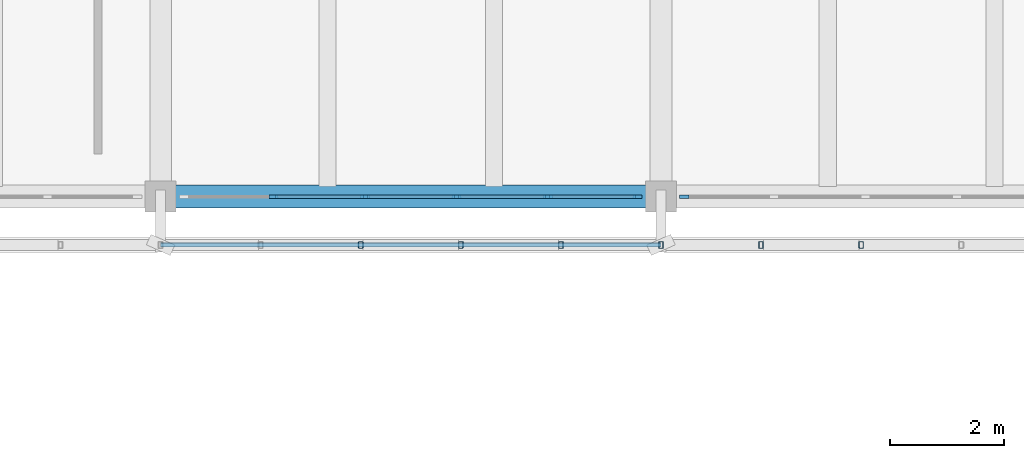
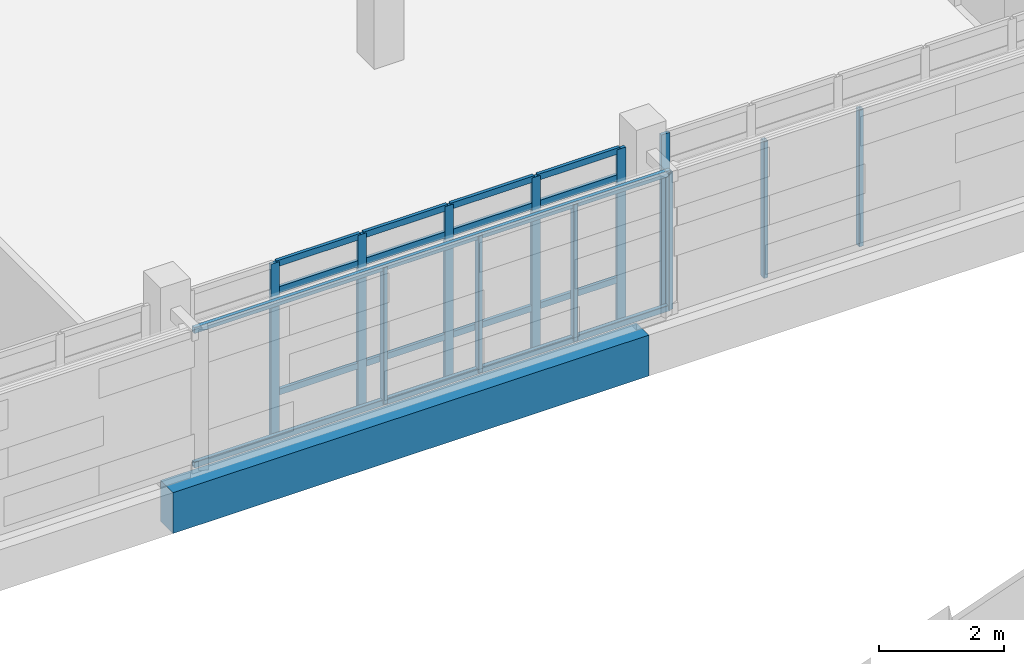
# One storey, part 60 of 117: 30 members, 1 beam, 2 elements without a shape of their own.
"""IFC4 building model written with IfcOpenShell, lengths in metres."""

import ifcopenshell
import ifcopenshell.guid

model = None  # the IFC model being written
_history = None  # IfcOwnerHistory: only IFC2X3 demands one
_inside = {}  # id of a spatial element -> (the spatial element, [elements in it])
_under = {}  # id of a project, library or spatial element -> (it, [spatial elements below it])
_declared = {}  # id of a project -> (the project, [libraries it declares])
_typed = {}  # id of a type object -> (the type object, [elements of that type])
_made_of = {}  # id of a material, layer set ... -> (it, [elements and type objects made of it])


def new_model(schema):
    """Start an empty IFC model of exactly this schema.

    Asked for "IFC4X3", IfcOpenShell would pick the latest addendum, in which some entities
    have other attributes; the version numbers below select the first issue.
    IFC2X3 requires an IfcOwnerHistory on every rooted entity: one is made here for all.
    """
    global model, _history
    if schema == "IFC4X3":
        model = ifcopenshell.file(schema_version=(4, 3, 0, 0))
    else:
        model = ifcopenshell.file(schema=schema)
    _inside.clear()
    _under.clear()
    _declared.clear()
    _typed.clear()
    _made_of.clear()
    _history = None
    if model.schema == "IFC2X3":
        org = make("IfcOrganization", Name="unknown")
        user = make(
            "IfcPersonAndOrganization",
            ThePerson=make("IfcPerson", FamilyName="unknown"),
            TheOrganization=org,
        )
        app = make(
            "IfcApplication",
            ApplicationDeveloper=org,
            Version="unknown",
            ApplicationFullName="unknown",
            ApplicationIdentifier="unknown",
        )
        _history = make(
            "IfcOwnerHistory",
            OwningUser=user,
            OwningApplication=app,
            ChangeAction="ADDED",
            CreationDate=0,
        )
    return model


def make(cls, **values):
    """One entity of the class cls with the attributes given. An attribute that is None is left unset."""
    return model.create_entity(
        cls, **{name: value for name, value in values.items() if value is not None}
    )


def rooted(cls, **values):
    """An entity with a GlobalId (a new one), such as an element, a storey or a relation."""
    return make(cls, GlobalId=ifcopenshell.guid.new(), OwnerHistory=_history, **values)


def si_unit(unit_type, name, prefix=None):
    """IfcSIUnit, for example si_unit("LENGTHUNIT", "METRE", prefix="MILLI")."""
    return make("IfcSIUnit", UnitType=unit_type, Prefix=prefix, Name=name)


def assignment(units):
    """IfcUnitAssignment: the units of a project."""
    return None if units is None else make("IfcUnitAssignment", Units=units)


def point(xyz):
    """IfcCartesianPoint."""
    return None if xyz is None else make("IfcCartesianPoint", Coordinates=xyz)


def direction(xyz):
    """IfcDirection."""
    return None if xyz is None else make("IfcDirection", DirectionRatios=xyz)


def frame(location, z_axis=None, x_axis=None):
    """IfcAxis2Placement3D, a coordinate frame: its origin and axes. An axis left out is left unset."""
    return make(
        "IfcAxis2Placement3D",
        Location=point(location),
        Axis=direction(z_axis),
        RefDirection=direction(x_axis),
    )


def frame_2d(location, x_axis=None):
    """IfcAxis2Placement2D, a coordinate frame in the plane: its origin and x axis."""
    return make(
        "IfcAxis2Placement2D", Location=point(location), RefDirection=direction(x_axis)
    )


def origin():
    """The frame at (0, 0, 0) with its axes left unset."""
    return frame((0.0, 0.0, 0.0))


def origin_2d():
    """The frame at (0, 0) in the plane with its x axis left unset."""
    return frame_2d((0.0, 0.0))


def place(relative_to, where):
    """IfcLocalPlacement: puts the frame where relative to a parent placement (None: the world)."""
    return make(
        "IfcLocalPlacement", PlacementRelTo=relative_to, RelativePlacement=where
    )


def context(
    kind, dimensions, precision=None, world=None, true_north=None, identifier=None
):
    """IfcGeometricRepresentationContext, for example the 3D "Model" context."""
    return make(
        "IfcGeometricRepresentationContext",
        ContextIdentifier=identifier,
        ContextType=kind,
        CoordinateSpaceDimension=dimensions,
        Precision=precision,
        WorldCoordinateSystem=world,
        TrueNorth=true_north,
    )


def subcontext(parent, identifier, kind, view, scale=None):
    """IfcGeometricRepresentationSubContext, for example "Body" below "Model"."""
    return make(
        "IfcGeometricRepresentationSubContext",
        ContextIdentifier=identifier,
        ContextType=kind,
        ParentContext=parent,
        TargetScale=scale,
        TargetView=view,
    )


def project(units=None, contexts=None):
    """IfcProject with its units and contexts."""
    return rooted(
        "IfcProject",
        Name="project",
        RepresentationContexts=contexts,
        UnitsInContext=assignment(units),
    )


def spatial(cls, under=None, at=None, **own):
    """A site, building, storey or space (cls), placed at a placement, below another one or the project."""
    s = rooted(cls, ObjectPlacement=at, **own)
    if under is not None:
        _under.setdefault(under.id(), (under, []))[1].append(s)
    return s


def profile(cls, at=None, kind="AREA", **sizes):
    """A parametric profile (cls). Its sizes go by their IFC names, for example OverallWidth=200.0."""
    return make(cls, ProfileType=kind, Position=at, **sizes)


def rectangle(**sizes):
    """IfcRectangleProfileDef."""
    return profile("IfcRectangleProfileDef", **sizes)


def hollow_rectangle(**sizes):
    """IfcRectangleHollowProfileDef."""
    return profile("IfcRectangleHollowProfileDef", **sizes)


def extrude(swept, where, along, depth):
    """IfcExtrudedAreaSolid: the profile swept, set in the frame where, extruded along a direction by depth."""
    return make(
        "IfcExtrudedAreaSolid",
        SweptArea=swept,
        Position=where,
        ExtrudedDirection=direction(along),
        Depth=depth,
    )


def shape(context_of_items, identifier, shape_type, items):
    """IfcShapeRepresentation: the items that make up one representation, for example the "Body"."""
    return make(
        "IfcShapeRepresentation",
        ContextOfItems=context_of_items,
        RepresentationIdentifier=identifier,
        RepresentationType=shape_type,
        Items=items,
    )


def material(Name=None, Category=None):
    """IfcMaterial."""
    return make("IfcMaterial", Name=Name, Category=Category)


def material_profile(
    of_material, cross_section, Name=None, Category=None, Priority=None
):
    """IfcMaterialProfile: a cross section and its material."""
    return make(
        "IfcMaterialProfile",
        Name=Name,
        Material=of_material,
        Profile=cross_section,
        Priority=Priority,
        Category=Category,
    )


def profile_set(profiles, Name=None, composite=None):
    """IfcMaterialProfileSet."""
    return make(
        "IfcMaterialProfileSet",
        Name=Name,
        MaterialProfiles=profiles,
        CompositeProfile=composite,
    )


def made_of(thing, what):
    """Note that an element or type object is made of a material, layer set ...; save() writes the relation."""
    if what is not None:
        _made_of.setdefault(what.id(), (what, []))[1].append(thing)
    return thing


def type_object(cls, material=None, **own):
    """A type object (cls), such as IfcWallType, which elements share."""
    return made_of(rooted(cls, **own), material)


def element(
    cls,
    number,
    at=None,
    inside=None,
    cuts=None,
    type_object=None,
    material=None,
    context=None,
    identifier="Body",
    shape_type=None,
    held_by="IfcProductDefinitionShape",
    body=None,
    shapes=None,
    **own,
):
    """One element of the class cls, such as IfcWall. Its Tag is "e" and its number.

    at: its placement. inside: the storey or other place that contains it. cuts: it is an
    opening in that element (IfcRelVoidsElement). A single representation is given by context,
    identifier, shape_type and body (its items); several are given by shapes. held_by: the class
    of the entity that holds the representations. save() writes the other relations.
    """
    e = rooted(cls, Tag="e%d" % number, ObjectPlacement=at, **own)
    if body is not None:
        shapes = [shape(context, identifier, shape_type, body)]
    if shapes is not None:
        e.Representation = make(held_by, Representations=shapes)
    if inside is not None:
        _inside.setdefault(inside.id(), (inside, []))[1].append(e)
    if cuts is not None:
        rooted(
            "IfcRelVoidsElement", RelatingBuildingElement=cuts, RelatedOpeningElement=e
        )
    if type_object is not None:
        _typed.setdefault(type_object.id(), (type_object, []))[1].append(e)
    return made_of(e, material)


def aggregate(whole, parts):
    """IfcRelAggregates: a whole, such as a stair, and the parts it consists of."""
    return rooted("IfcRelAggregates", RelatingObject=whole, RelatedObjects=parts)


def save(model, path):
    """Write the relations noted so far, then the file.

    IfcRelAggregates (storeys below a building ...), IfcRelContainedInSpatialStructure (elements
    in a storey), IfcRelDefinesByType, IfcRelAssociatesMaterial and IfcRelDeclares: one each for
    every whole, place, type object, material and project.
    """
    for whole, parts in _under.values():
        aggregate(whole, parts)
    for where, things in _inside.values():
        rooted(
            "IfcRelContainedInSpatialStructure",
            RelatedElements=things,
            RelatingStructure=where,
        )
    for kind, things in _typed.values():
        rooted("IfcRelDefinesByType", RelatedObjects=things, RelatingType=kind)
    for what, things in _made_of.values():
        rooted("IfcRelAssociatesMaterial", RelatedObjects=things, RelatingMaterial=what)
    for by, libraries in _declared.values():
        rooted("IfcRelDeclares", RelatingContext=by, RelatedDefinitions=libraries)
    model.write(path)


model = new_model("IFC4")

# Units and contexts
model_context = context("Model", 3, precision=1e-05, world=origin(), true_north=direction((0.0, 1.0)))
body_context = subcontext(model_context, "Body", "Model", "MODEL_VIEW")
ifc_project = project(units=[si_unit("LENGTHUNIT", "METRE"), si_unit("AREAUNIT", "SQUARE_METRE"), si_unit("VOLUMEUNIT", "CUBIC_METRE"), si_unit("PLANEANGLEUNIT", "RADIAN"), si_unit("MASSUNIT", "GRAM", prefix="KILO")], contexts=[model_context])

# Site, building, storey
site_placement = place(None, origin())
site = spatial("IfcSite", under=ifc_project, at=site_placement, CompositionType="ELEMENT")
building_placement = place(site_placement, origin())
building = spatial("IfcBuilding", under=site, at=building_placement, Name="Cinderway Yard Community Centre", CompositionType="ELEMENT")
storey_placement = place(building_placement, frame((0.0, 0.0, 9.0)))
storey = spatial("IfcBuildingStorey", under=building, at=storey_placement, Name="L02", CompositionType="ELEMENT", Elevation=9.0)

# Curtain wall, members
ifc_material_1 = material(Name="Aluminium 6063-T6", Category="aluminium")
curtain_wall_type = type_object("IfcCurtainWallType", Name="ENV-CW-TYPE-30", PredefinedType="USERDEFINED", material=ifc_material_1)
curtain_wall_1_placement = place(storey_placement, origin())
curtain_wall_1 = element("IfcCurtainWall", 1, at=curtain_wall_1_placement, inside=storey, type_object=curtain_wall_type, Name="V4 Courtyard Curtain Wall ENV-CW-L02-ST-0156", ObjectType="GLAZED CURTAIN WALL", PredefinedType="USERDEFINED")
ifc_material_profile_1 = material_profile(ifc_material_1, rectangle(XDim=0.06005859375, YDim=0.159912109375, at=origin_2d()), Name="Aluminium 6063-T6")
ifc_profile_set_1 = profile_set([ifc_material_profile_1], Name="Aluminium 6063-T6")
member_type_1 = type_object("IfcMemberType", Name="ENV-CW-MULL-150", PredefinedType="MULLION", material=ifc_profile_set_1)
member_1_placement = place(storey_placement, frame((121.18798828125, 90.0, 0.0), z_axis=(0.0, 0.0, 1.0), x_axis=(0.0, 1.0, 0.0)))
member_1 = element("IfcMember", 2, at=member_1_placement, type_object=member_type_1, Name="CW-30 mullion 2", PredefinedType="MULLION", context=body_context, shape_type="SweptSolid", body=[
    extrude(rectangle(XDim=0.06005859375, YDim=0.159912109375, at=origin_2d()), origin(), (0.0, 0.0, 1.0), 3.449951171875),
])
member_2_placement = place(storey_placement, frame((122.7958984375, 90.0, 0.0), z_axis=(0.0, 0.0, 1.0), x_axis=(0.0, 1.0, 0.0)))
member_2 = element("IfcMember", 3, at=member_2_placement, type_object=member_type_1, Name="CW-30 mullion 3", PredefinedType="MULLION", context=body_context, shape_type="SweptSolid", body=[
    extrude(rectangle(XDim=0.06005859375, YDim=0.159912109375, at=origin_2d()), origin(), (0.0, 0.0, 1.0), 3.449951171875),
])
member_3_placement = place(storey_placement, frame((124.404052734375, 90.0, 0.0), z_axis=(0.0, 0.0, 1.0), x_axis=(0.0, 1.0, 0.0)))
member_3 = element("IfcMember", 4, at=member_3_placement, type_object=member_type_1, Name="CW-30 mullion 4", PredefinedType="MULLION", context=body_context, shape_type="SweptSolid", body=[
    extrude(rectangle(XDim=0.06005859375, YDim=0.159912109375, at=origin_2d()), origin(), (0.0, 0.0, 1.0), 3.449951171875),
])
member_4_placement = place(storey_placement, frame((126.011962890625, 90.0, 0.0), z_axis=(0.0, 0.0, 1.0), x_axis=(0.0, 1.0, 0.0)))
member_4 = element("IfcMember", 5, at=member_4_placement, type_object=member_type_1, Name="CW-30 mullion 5", PredefinedType="MULLION", context=body_context, shape_type="SweptSolid", body=[
    extrude(rectangle(XDim=0.06005859375, YDim=0.159912109375, at=origin_2d()), origin(), (0.0, 0.0, 1.0), 3.449951171875),
])
member_5_placement = place(storey_placement, frame((127.590087890625, 90.0, 0.0), z_axis=(0.0, 0.0, 1.0), x_axis=(0.0, 1.0, 0.0)))
member_5 = element("IfcMember", 6, at=member_5_placement, type_object=member_type_1, Name="CW-30 mullion 6", PredefinedType="MULLION", context=body_context, shape_type="SweptSolid", body=[
    extrude(rectangle(XDim=0.06005859375, YDim=0.159912109375, at=origin_2d()), origin(), (0.0, 0.0, 1.0), 3.449951171875),
])

# Curtain wall, member
curtain_wall_2_placement = place(storey_placement, origin())
curtain_wall_2 = element("IfcCurtainWall", 7, at=curtain_wall_2_placement, inside=storey, type_object=curtain_wall_type, Name="V4 Courtyard Curtain Wall ENV-CW-L02-ST-0158", ObjectType="GLAZED CURTAIN WALL", PredefinedType="USERDEFINED")
member_6_placement = place(storey_placement, frame((128.409912109375, 90.0, 0.0), z_axis=(0.0, 0.0, 1.0), x_axis=(0.0, 1.0, 0.0)))
member_6 = element("IfcMember", 8, at=member_6_placement, type_object=member_type_1, Name="CW-30 mullion 1", PredefinedType="MULLION", context=body_context, shape_type="SweptSolid", body=[
    extrude(rectangle(XDim=0.06005859375, YDim=0.159912109375, at=origin_2d()), origin(), (0.0, 0.0, 1.0), 3.449951171875),
])
aggregate(curtain_wall_2, [member_6])

# Member
ifc_material_profile_2 = material_profile(ifc_material_1, rectangle(XDim=0.06005859375, YDim=0.1201171875, at=origin_2d()), Name="Aluminium 6063-T6")
ifc_profile_set_2 = profile_set([ifc_material_profile_2], Name="Aluminium 6063-T6")
member_type_2 = type_object("IfcMemberType", Name="ENV-CW-TRAN-110", PredefinedType="USERDEFINED", material=ifc_profile_set_2)
member_7_placement = place(storey_placement, frame((121.218017578125, 90.0, 0.030029296875), z_axis=(1.0, 0.0, 0.0), x_axis=(0.0, 1.0, 0.0)))
member_7 = element("IfcMember", 9, at=member_7_placement, type_object=member_type_2, Name="CW-30 transom 2.1", ObjectType="TRANSOM", PredefinedType="USERDEFINED", context=body_context, shape_type="SweptSolid", body=[
    extrude(rectangle(XDim=0.06005859375, YDim=0.1201171875, at=origin_2d()), origin(), (0.0, 0.0, 1.0), 1.548095703125),
])

member_8_placement = place(storey_placement, frame((121.218017578125, 90.0, 0.89990234375), z_axis=(1.0, 0.0, 0.0), x_axis=(0.0, 1.0, 0.0)))
member_8 = element("IfcMember", 10, at=member_8_placement, type_object=member_type_2, Name="CW-30 transom 2.2", ObjectType="TRANSOM", PredefinedType="USERDEFINED", context=body_context, shape_type="SweptSolid", body=[
    extrude(rectangle(XDim=0.06005859375, YDim=0.1201171875, at=origin_2d()), origin(), (0.0, 0.0, 1.0), 1.548095703125),
])

member_9_placement = place(storey_placement, frame((121.218017578125, 90.0, 2.89990234375), z_axis=(1.0, 0.0, 0.0), x_axis=(0.0, 1.0, 0.0)))
member_9 = element("IfcMember", 11, at=member_9_placement, type_object=member_type_2, Name="CW-30 transom 2.3", ObjectType="TRANSOM", PredefinedType="USERDEFINED", context=body_context, shape_type="SweptSolid", body=[
    extrude(rectangle(XDim=0.06005859375, YDim=0.1201171875, at=origin_2d()), origin(), (0.0, 0.0, 1.0), 1.548095703125),
])

member_10_placement = place(storey_placement, frame((121.218017578125, 90.0, 3.419921875), z_axis=(1.0, 0.0, 0.0), x_axis=(0.0, 1.0, 0.0)))
member_10 = element("IfcMember", 12, at=member_10_placement, type_object=member_type_2, Name="CW-30 transom 2.4", ObjectType="TRANSOM", PredefinedType="USERDEFINED", context=body_context, shape_type="SweptSolid", body=[
    extrude(rectangle(XDim=0.06005859375, YDim=0.1201171875, at=origin_2d()), origin(), (0.0, 0.0, 1.0), 1.548095703125),
])

member_11_placement = place(storey_placement, frame((122.825927734375, 90.0, 0.030029296875), z_axis=(1.0, 0.0, 0.0), x_axis=(0.0, 1.0, 0.0)))
member_11 = element("IfcMember", 13, at=member_11_placement, type_object=member_type_2, Name="CW-30 transom 3.1", ObjectType="TRANSOM", PredefinedType="USERDEFINED", context=body_context, shape_type="SweptSolid", body=[
    extrude(rectangle(XDim=0.06005859375, YDim=0.1201171875, at=origin_2d()), origin(), (0.0, 0.0, 1.0), 1.548095703125),
])

member_12_placement = place(storey_placement, frame((122.825927734375, 90.0, 0.89990234375), z_axis=(1.0, 0.0, 0.0), x_axis=(0.0, 1.0, 0.0)))
member_12 = element("IfcMember", 14, at=member_12_placement, type_object=member_type_2, Name="CW-30 transom 3.2", ObjectType="TRANSOM", PredefinedType="USERDEFINED", context=body_context, shape_type="SweptSolid", body=[
    extrude(rectangle(XDim=0.06005859375, YDim=0.1201171875, at=origin_2d()), origin(), (0.0, 0.0, 1.0), 1.548095703125),
])

member_13_placement = place(storey_placement, frame((122.825927734375, 90.0, 2.89990234375), z_axis=(1.0, 0.0, 0.0), x_axis=(0.0, 1.0, 0.0)))
member_13 = element("IfcMember", 15, at=member_13_placement, type_object=member_type_2, Name="CW-30 transom 3.3", ObjectType="TRANSOM", PredefinedType="USERDEFINED", context=body_context, shape_type="SweptSolid", body=[
    extrude(rectangle(XDim=0.06005859375, YDim=0.1201171875, at=origin_2d()), origin(), (0.0, 0.0, 1.0), 1.548095703125),
])

member_14_placement = place(storey_placement, frame((122.825927734375, 90.0, 3.419921875), z_axis=(1.0, 0.0, 0.0), x_axis=(0.0, 1.0, 0.0)))
member_14 = element("IfcMember", 16, at=member_14_placement, type_object=member_type_2, Name="CW-30 transom 3.4", ObjectType="TRANSOM", PredefinedType="USERDEFINED", context=body_context, shape_type="SweptSolid", body=[
    extrude(rectangle(XDim=0.06005859375, YDim=0.1201171875, at=origin_2d()), origin(), (0.0, 0.0, 1.0), 1.548095703125),
])

member_15_placement = place(storey_placement, frame((124.43408203125, 90.0, 0.030029296875), z_axis=(1.0, 0.0, 0.0), x_axis=(0.0, 1.0, 0.0)))
member_15 = element("IfcMember", 17, at=member_15_placement, type_object=member_type_2, Name="CW-30 transom 4.1", ObjectType="TRANSOM", PredefinedType="USERDEFINED", context=body_context, shape_type="SweptSolid", body=[
    extrude(rectangle(XDim=0.06005859375, YDim=0.1201171875, at=origin_2d()), origin(), (0.0, 0.0, 1.0), 1.5478515625),
])

member_16_placement = place(storey_placement, frame((124.43408203125, 90.0, 0.89990234375), z_axis=(1.0, 0.0, 0.0), x_axis=(0.0, 1.0, 0.0)))
member_16 = element("IfcMember", 18, at=member_16_placement, type_object=member_type_2, Name="CW-30 transom 4.2", ObjectType="TRANSOM", PredefinedType="USERDEFINED", context=body_context, shape_type="SweptSolid", body=[
    extrude(rectangle(XDim=0.06005859375, YDim=0.1201171875, at=origin_2d()), origin(), (0.0, 0.0, 1.0), 1.5478515625),
])

member_17_placement = place(storey_placement, frame((124.43408203125, 90.0, 2.89990234375), z_axis=(1.0, 0.0, 0.0), x_axis=(0.0, 1.0, 0.0)))
member_17 = element("IfcMember", 19, at=member_17_placement, type_object=member_type_2, Name="CW-30 transom 4.3", ObjectType="TRANSOM", PredefinedType="USERDEFINED", context=body_context, shape_type="SweptSolid", body=[
    extrude(rectangle(XDim=0.06005859375, YDim=0.1201171875, at=origin_2d()), origin(), (0.0, 0.0, 1.0), 1.5478515625),
])

member_18_placement = place(storey_placement, frame((124.43408203125, 90.0, 3.419921875), z_axis=(1.0, 0.0, 0.0), x_axis=(0.0, 1.0, 0.0)))
member_18 = element("IfcMember", 20, at=member_18_placement, type_object=member_type_2, Name="CW-30 transom 4.4", ObjectType="TRANSOM", PredefinedType="USERDEFINED", context=body_context, shape_type="SweptSolid", body=[
    extrude(rectangle(XDim=0.06005859375, YDim=0.1201171875, at=origin_2d()), origin(), (0.0, 0.0, 1.0), 1.5478515625),
])

member_19_placement = place(storey_placement, frame((126.0419921875, 90.0, 0.030029296875), z_axis=(1.0, 0.0, 0.0), x_axis=(0.0, 1.0, 0.0)))
member_19 = element("IfcMember", 21, at=member_19_placement, type_object=member_type_2, Name="CW-30 transom 5.1", ObjectType="TRANSOM", PredefinedType="USERDEFINED", context=body_context, shape_type="SweptSolid", body=[
    extrude(rectangle(XDim=0.06005859375, YDim=0.1201171875, at=origin_2d()), origin(), (0.0, 0.0, 1.0), 1.51806640625),
])

member_20_placement = place(storey_placement, frame((126.0419921875, 90.0, 0.89990234375), z_axis=(1.0, 0.0, 0.0), x_axis=(0.0, 1.0, 0.0)))
member_20 = element("IfcMember", 22, at=member_20_placement, type_object=member_type_2, Name="CW-30 transom 5.2", ObjectType="TRANSOM", PredefinedType="USERDEFINED", context=body_context, shape_type="SweptSolid", body=[
    extrude(rectangle(XDim=0.06005859375, YDim=0.1201171875, at=origin_2d()), origin(), (0.0, 0.0, 1.0), 1.51806640625),
])

member_21_placement = place(storey_placement, frame((126.0419921875, 90.0, 2.89990234375), z_axis=(1.0, 0.0, 0.0), x_axis=(0.0, 1.0, 0.0)))
member_21 = element("IfcMember", 23, at=member_21_placement, type_object=member_type_2, Name="CW-30 transom 5.3", ObjectType="TRANSOM", PredefinedType="USERDEFINED", context=body_context, shape_type="SweptSolid", body=[
    extrude(rectangle(XDim=0.06005859375, YDim=0.1201171875, at=origin_2d()), origin(), (0.0, 0.0, 1.0), 1.51806640625),
])

member_22_placement = place(storey_placement, frame((126.0419921875, 90.0, 3.419921875), z_axis=(1.0, 0.0, 0.0), x_axis=(0.0, 1.0, 0.0)))
member_22 = element("IfcMember", 24, at=member_22_placement, type_object=member_type_2, Name="CW-30 transom 5.4", ObjectType="TRANSOM", PredefinedType="USERDEFINED", context=body_context, shape_type="SweptSolid", body=[
    extrude(rectangle(XDim=0.06005859375, YDim=0.1201171875, at=origin_2d()), origin(), (0.0, 0.0, 1.0), 1.51806640625),
])

aggregate(curtain_wall_1, [member_1, member_2, member_3, member_4, member_5, member_7, member_8, member_9, member_10, member_11, member_12, member_13, member_14, member_15, member_16, member_17, member_18, member_19, member_20, member_21, member_22])

# Members
ifc_material_2 = material(Name="Steel S355", Category="steel")
ifc_material_profile_3 = material_profile(ifc_material_2, hollow_rectangle(XDim=0.080078125, YDim=0.1201171875, WallThickness=0.00634765625, InnerFilletRadius=0.00634765625, OuterFilletRadius=0.0126953125, at=origin_2d()), Name="Steel S355")
ifc_profile_set_3 = profile_set([ifc_material_profile_3], Name="Steel S355")
member_type_3 = type_object("IfcMemberType", Name="ENV-MEM-SCREEN-RAIL-120", PredefinedType="STRINGER", material=ifc_profile_set_3)
for number, where, z_axis, x_axis, name in (
    (25, (119.199951171875, 89.14990234375, 0.7099609375), (1.0, 0.0, 0.0), (0.0, 1.0, 0.0), "Screen support rail 0487-BOT"),
    (26, (119.199951171875, 89.14990234375, 3.340087890625), (1.0, 0.0, 0.0), (0.0, 1.0, 0.0), "Screen support rail 0488-TOP"),
):
    element("IfcMember", number, at=place(storey_placement, frame(where, z_axis=z_axis, x_axis=x_axis)), inside=storey, type_object=member_type_3, Name=name, PredefinedType="STRINGER", context=body_context, shape_type="SweptSolid", body=[
        extrude(hollow_rectangle(XDim=0.080078125, YDim=0.1201171875, WallThickness=0.00634765625, InnerFilletRadius=0.00634765625, OuterFilletRadius=0.0126953125, at=origin_2d()), origin(), (0.0, 0.0, 1.0), 8.800048828125),
    ])
for number, where, z_axis, x_axis, name in (
    (27, (122.719970703125, 89.14990234375, 0.68994140625), (0.0, 0.0, 1.0), (1.0, 0.0, 0.0), "Screen vertical mullion 0490"),
    (28, (124.47998046875, 89.14990234375, 0.68994140625), (0.0, 0.0, 1.0), (1.0, 0.0, 0.0), "Screen vertical mullion 0491"),
    (29, (126.239990234375, 89.14990234375, 0.68994140625), (0.0, 0.0, 1.0), (1.0, 0.0, 0.0), "Screen vertical mullion 0492"),
    (30, (128.0, 89.14990234375, 0.68994140625), (0.0, 0.0, 1.0), (1.0, 0.0, 0.0), "Screen vertical mullion 0493"),
    (31, (129.760009765625, 89.14990234375, 0.68994140625), (0.0, 0.0, 1.0), (1.0, 0.0, 0.0), "Screen vertical mullion 0497"),
    (32, (131.52001953125, 89.14990234375, 0.68994140625), (0.0, 0.0, 1.0), (1.0, 0.0, 0.0), "Screen vertical mullion 0498"),
):
    element("IfcMember", number, at=place(storey_placement, frame(where, z_axis=z_axis, x_axis=x_axis)), inside=storey, type_object=member_type_3, Name=name, PredefinedType="STRINGER", context=body_context, shape_type="SweptSolid", body=[
        extrude(hollow_rectangle(XDim=0.080078125, YDim=0.1201171875, WallThickness=0.00634765625, InnerFilletRadius=0.00634765625, OuterFilletRadius=0.0126953125, at=origin_2d()), origin(), (0.0, 0.0, 1.0), 2.670166015625),
    ])

# Beam
ifc_material_3 = material(Name="Concrete C40/50", Category="concrete")
ifc_material_profile_4 = material_profile(ifc_material_3, rectangle(XDim=0.39990234375, YDim=0.800048828125, at=origin_2d()), Name="Concrete C40/50")
ifc_profile_set_4 = profile_set([ifc_material_profile_4], Name="Concrete C40/50")
beam_type = type_object("IfcBeamType", Name="STR-BM-RC400X800", PredefinedType="BEAM", material=ifc_profile_set_4)
beam_placement = place(storey_placement, frame((119.199951171875, 90.0, -0.639892578125), z_axis=(1.0, 0.0, 0.0), x_axis=(0.0, 1.0, 0.0)))
element("IfcBeam", 33, at=beam_placement, inside=storey, type_object=beam_type, Name="Primary girder STR-BM-L02-BG05-0505", PredefinedType="BEAM", context=body_context, shape_type="SweptSolid", body=[
    extrude(rectangle(XDim=0.39990234375, YDim=0.800048828125, at=origin_2d()), origin(), (0.0, 0.0, 1.0), 8.800048828125),
])

save(model, "model.ifc")
